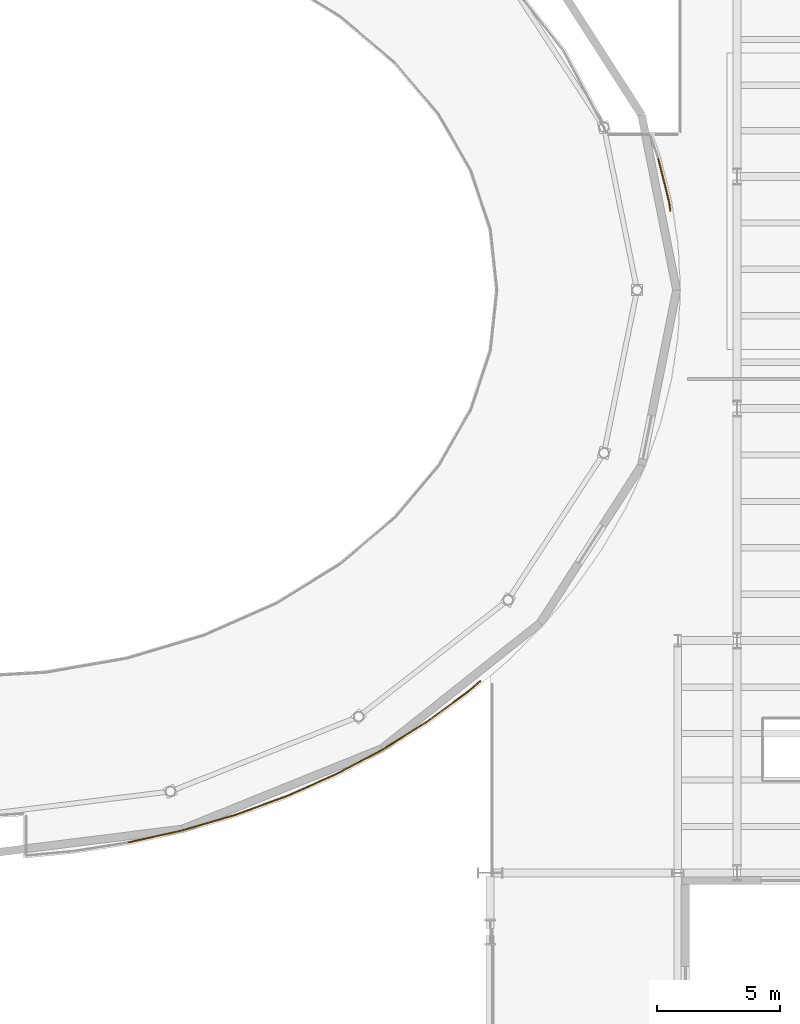
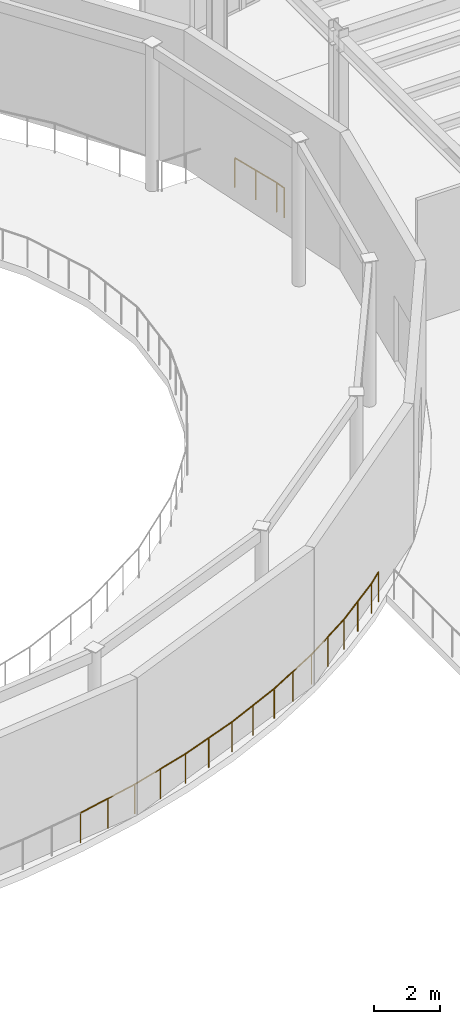
# One storey, part 92 of 98: 10 railings.
"""IFC4 building model written with IfcOpenShell, lengths in metres."""

from ifc_helpers import new_model, si_unit, direction, frame, origin, origin_2d, place, context, subcontext, project, spatial, circle, extrude, material, type_object, element, save


model = new_model("IFC4")

# Units and contexts
model_context = context("Model", 3, precision=1e-05, world=origin(), true_north=direction((0.0, 1.0)))
body_context = subcontext(model_context, "Body", "Model", "MODEL_VIEW")
ifc_project = project(units=[si_unit("LENGTHUNIT", "METRE"), si_unit("AREAUNIT", "SQUARE_METRE"), si_unit("VOLUMEUNIT", "CUBIC_METRE"), si_unit("PLANEANGLEUNIT", "RADIAN"), si_unit("MASSUNIT", "GRAM", prefix="KILO")], contexts=[model_context])

# Site, building, storey
site_placement = place(None, origin())
site = spatial("IfcSite", under=ifc_project, at=site_placement, CompositionType="ELEMENT")
building_placement = place(site_placement, origin())
building = spatial("IfcBuilding", under=site, at=building_placement, Name="Sollismere Congress Hotel", CompositionType="ELEMENT")
storey_placement = place(building_placement, frame((0.0, 0.0, 5.39990234375)))
storey = spatial("IfcBuildingStorey", under=building, at=storey_placement, Name="L01", CompositionType="ELEMENT", Elevation=5.39990234375)

# Railings
ifc_material = material(Name="Bronze and Laminated Safety Glass", Category="glass")
railing_type = type_object("IfcRailingType", Name="RL-BAL112I", PredefinedType="BALUSTRADE", material=ifc_material)
railing_1_placement = place(storey_placement, frame((50.0, 74.56103515625, 0.0)))
element("IfcRailing", 1, at=railing_1_placement, inside=storey, type_object=railing_type, Name="RLG-GDA-L01-010", PredefinedType="BALUSTRADE", context=body_context, shape_type="SweptSolid", body=[
    extrude(circle(Radius=0.02392578125, at=origin_2d()), frame((0.0, 0.0, 1.09619140625), z_axis=(-0.758690597575, -0.651451131821, 0.0), x_axis=(0.651451131821, -0.758690597575, 0.0)), (0.0, 0.0, 1.0), 0.6396484375),
    extrude(circle(Radius=0.02099609375, at=origin_2d()), origin(), (0.0, 0.0, 1.0), 1.072021484375),
    extrude(circle(Radius=0.02099609375, at=origin_2d()), frame((-0.4853515625, -0.416748046875, 0.0)), (0.0, 0.0, 1.0), 1.072021484375),
])
railing_2_placement = place(storey_placement, frame((49.5146484375, 74.144287109375, 0.0)))
element("IfcRailing", 2, at=railing_2_placement, inside=storey, type_object=railing_type, Name="RLG-GDA-L01-011", PredefinedType="BALUSTRADE", context=body_context, shape_type="SweptSolid", body=[
    extrude(circle(Radius=0.02392578125, at=origin_2d()), frame((0.0, 0.0, 1.09619140625), z_axis=(-0.80622904264, -0.59160352501, 0.0), x_axis=(0.59160352501, -0.80622904264, 0.0)), (0.0, 0.0, 1.0), 2.07373046875),
    extrude(circle(Radius=0.02099609375, at=origin_2d()), origin(), (0.0, 0.0, 1.0), 1.072021484375),
    extrude(circle(Radius=0.02099609375, at=origin_2d()), frame((-0.8359375, -0.61328125, 0.0)), (0.0, 0.0, 1.0), 1.072021484375),
    extrude(circle(Radius=0.02099609375, at=origin_2d()), frame((-1.671875, -1.226806640625, 0.0)), (0.0, 0.0, 1.0), 1.072021484375),
])
railing_3_placement = place(storey_placement, frame((47.8427734375, 72.91748046875, 0.0)))
element("IfcRailing", 3, at=railing_3_placement, inside=storey, type_object=railing_type, Name="RLG-GDA-L01-012", PredefinedType="BALUSTRADE", context=body_context, shape_type="SweptSolid", body=[
    extrude(circle(Radius=0.02392578125, at=origin_2d()), frame((0.0, 0.0, 1.09619140625), z_axis=(-0.847660022469, -0.530539806526, 0.0), x_axis=(0.530539806526, -0.847660022469, 0.0)), (0.0, 0.0, 1.0), 2.109375),
    extrude(circle(Radius=0.02099609375, at=origin_2d()), origin(), (0.0, 0.0, 1.0), 1.072021484375),
    extrude(circle(Radius=0.02099609375, at=origin_2d()), frame((-0.89404296875, -0.5595703125, 0.0)), (0.0, 0.0, 1.0), 1.072021484375),
    extrude(circle(Radius=0.02099609375, at=origin_2d()), frame((-1.7880859375, -1.119140625, 0.0)), (0.0, 0.0, 1.0), 1.072021484375),
])
railing_4_placement = place(storey_placement, frame((46.0546875, 71.79833984375, 0.0)))
element("IfcRailing", 4, at=railing_4_placement, inside=storey, type_object=railing_type, Name="RLG-GDA-L01-013", PredefinedType="BALUSTRADE", context=body_context, shape_type="SweptSolid", body=[
    extrude(circle(Radius=0.02392578125, at=origin_2d()), frame((0.0, 0.0, 1.09619140625), z_axis=(-0.883441388445, -0.468541687774, 0.0), x_axis=(0.468541687774, -0.883441388445, 0.0)), (0.0, 0.0, 1.0), 2.1435546875),
    extrude(circle(Radius=0.02099609375, at=origin_2d()), origin(), (0.0, 0.0, 1.0), 1.072021484375),
    extrude(circle(Radius=0.02099609375, at=origin_2d()), frame((-0.94677734375, -0.502197265625, 0.0)), (0.0, 0.0, 1.0), 1.072021484375),
    extrude(circle(Radius=0.02099609375, at=origin_2d()), frame((-1.893798828125, -1.00439453125, 0.0)), (0.0, 0.0, 1.0), 1.072021484375),
])
railing_5_placement = place(storey_placement, frame((44.160888671875, 70.7939453125, 0.0)))
element("IfcRailing", 5, at=railing_5_placement, inside=storey, type_object=railing_type, Name="RLG-GDA-L01-014", PredefinedType="BALUSTRADE", context=body_context, shape_type="SweptSolid", body=[
    extrude(circle(Radius=0.02392578125, at=origin_2d()), frame((0.0, 0.0, 1.09619140625), z_axis=(-0.91376062137, -0.406253033015, 0.0), x_axis=(0.406253033015, -0.91376062137, 0.0)), (0.0, 0.0, 1.0), 2.1748046875),
    extrude(circle(Radius=0.02099609375, at=origin_2d()), origin(), (0.0, 0.0, 1.0), 1.072021484375),
    extrude(circle(Radius=0.02099609375, at=origin_2d()), frame((-0.99365234375, -0.44189453125, 0.0)), (0.0, 0.0, 1.0), 1.072021484375),
    extrude(circle(Radius=0.02099609375, at=origin_2d()), frame((-1.9873046875, -0.883544921875, 0.0)), (0.0, 0.0, 1.0), 1.072021484375),
])
railing_6_placement = place(storey_placement, frame((42.173583984375, 69.910400390625, 0.0)))
element("IfcRailing", 6, at=railing_6_placement, inside=storey, type_object=railing_type, Name="RLG-GDA-L01-015", PredefinedType="BALUSTRADE", context=body_context, shape_type="SweptSolid", body=[
    extrude(circle(Radius=0.02392578125, at=origin_2d()), frame((0.0, 0.0, 1.09619140625), z_axis=(-0.939095812648, -0.343655430142, 0.0), x_axis=(0.343655430142, -0.939095812648, 0.0)), (0.0, 0.0, 1.0), 2.203125),
    extrude(circle(Radius=0.02099609375, at=origin_2d()), origin(), (0.0, 0.0, 1.0), 1.072021484375),
    extrude(circle(Radius=0.02099609375, at=origin_2d()), frame((-1.034423828125, -0.37841796875, 0.0)), (0.0, 0.0, 1.0), 1.072021484375),
    extrude(circle(Radius=0.02099609375, at=origin_2d()), frame((-2.06884765625, -0.757080078125, 0.0)), (0.0, 0.0, 1.0), 1.072021484375),
])
railing_7_placement = place(storey_placement, frame((40.104736328125, 69.1533203125, 0.0)))
element("IfcRailing", 7, at=railing_7_placement, inside=storey, type_object=railing_type, Name="RLG-GDA-L01-016", PredefinedType="BALUSTRADE", context=body_context, shape_type="SweptSolid", body=[
    extrude(circle(Radius=0.02392578125, at=origin_2d()), frame((0.0, 0.0, 1.09619140625), z_axis=(-0.959720827228, -0.280955394653, 0.0), x_axis=(0.280955394653, -0.959720827228, 0.0)), (0.0, 0.0, 1.0), 2.22705078125),
    extrude(circle(Radius=0.02099609375, at=origin_2d()), origin(), (0.0, 0.0, 1.0), 1.072021484375),
    extrude(circle(Radius=0.02099609375, at=origin_2d()), frame((-1.06884765625, -0.31298828125, 0.0)), (0.0, 0.0, 1.0), 1.072021484375),
    extrude(circle(Radius=0.02099609375, at=origin_2d()), frame((-2.137451171875, -0.625732421875, 0.0)), (0.0, 0.0, 1.0), 1.072021484375),
])
railing_8_placement = place(storey_placement, frame((37.96728515625, 68.527587890625, 0.0)))
element("IfcRailing", 8, at=railing_8_placement, inside=storey, type_object=railing_type, Name="RLG-GDA-L01-017", PredefinedType="BALUSTRADE", context=body_context, shape_type="SweptSolid", body=[
    extrude(circle(Radius=0.02392578125, at=origin_2d()), frame((0.0, 0.0, 1.09619140625), z_axis=(-0.975835533392, -0.218506319747, 0.0), x_axis=(0.218506319747, -0.975835533392, 0.0)), (0.0, 0.0, 1.0), 2.246826171875),
    extrude(circle(Radius=0.02099609375, at=origin_2d()), origin(), (0.0, 0.0, 1.0), 1.072021484375),
    extrude(circle(Radius=0.02099609375, at=origin_2d()), frame((-1.09619140625, -0.24560546875, 0.0)), (0.0, 0.0, 1.0), 1.072021484375),
    extrude(circle(Radius=0.02099609375, at=origin_2d()), frame((-2.192626953125, -0.490966796875, 0.0)), (0.0, 0.0, 1.0), 1.072021484375),
])
railing_9_placement = place(storey_placement, frame((57.2001953125, 95.763671875, 0.0)))
element("IfcRailing", 9, at=railing_9_placement, inside=storey, type_object=railing_type, Name="RLG-GDA-L01-057", PredefinedType="BALUSTRADE", context=body_context, shape_type="SweptSolid", body=[
    extrude(circle(Radius=0.02392578125, at=origin_2d()), frame((0.0, 0.0, 1.09619140625), z_axis=(0.243007884229, -0.970024313202, 0.0), x_axis=(0.970024313202, 0.243007884229, 0.0)), (0.0, 0.0, 1.0), 1.824462890625),
    extrude(circle(Radius=0.02099609375, at=origin_2d()), origin(), (0.0, 0.0, 1.0), 1.072021484375),
    extrude(circle(Radius=0.02099609375, at=origin_2d()), frame((0.2216796875, -0.884765625, 0.0)), (0.0, 0.0, 1.0), 1.072021484375),
    extrude(circle(Radius=0.02099609375, at=origin_2d()), frame((0.443359375, -1.769775390625, 0.0)), (0.0, 0.0, 1.0), 1.072021484375),
])
railing_10_placement = place(storey_placement, frame((57.6435546875, 93.993896484375, 0.0)))
element("IfcRailing", 10, at=railing_10_placement, inside=storey, type_object=railing_type, Name="RLG-GDA-L01-058", PredefinedType="BALUSTRADE", context=body_context, shape_type="SweptSolid", body=[
    extrude(circle(Radius=0.02392578125, at=origin_2d()), frame((0.0, 0.0, 1.09619140625), z_axis=(0.147311303089, -0.989090177882, 0.0), x_axis=(0.989090177882, 0.147311303089, 0.0)), (0.0, 0.0, 1.0), 0.3828125),
    extrude(circle(Radius=0.02099609375, at=origin_2d()), origin(), (0.0, 0.0, 1.0), 1.072021484375),
    extrude(circle(Radius=0.02099609375, at=origin_2d()), frame((0.056396484375, -0.378662109375, 0.0)), (0.0, 0.0, 1.0), 1.072021484375),
])

save(model, "model.ifc")
